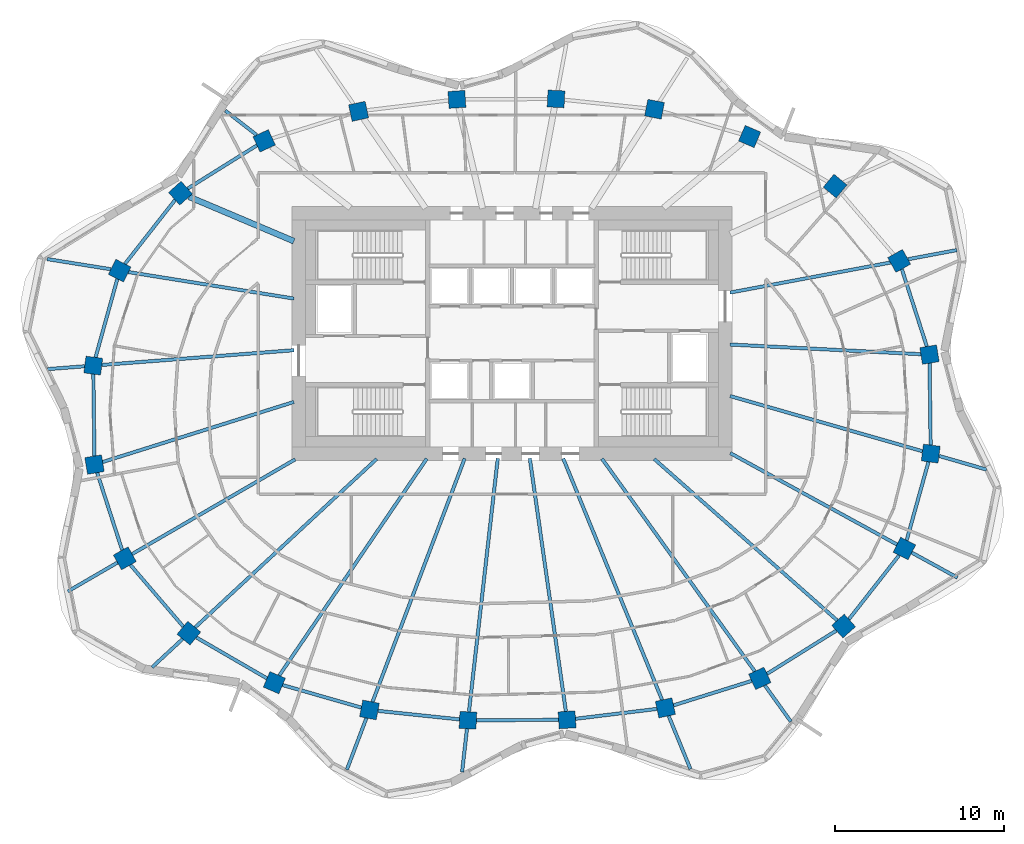
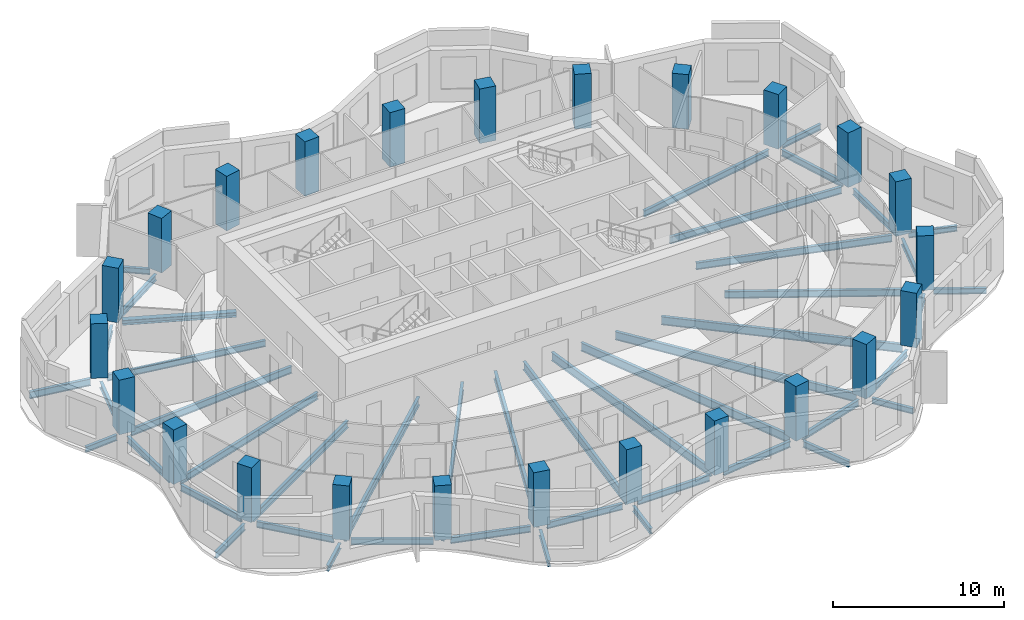
# One storey, part 1 of 11: 46 beams, 24 columns.
"""IFC4 building model written with IfcOpenShell, lengths in metres."""

from ifc_helpers import new_model, si_unit, direction, frame, origin, origin_2d, place, context, subcontext, project, spatial, rectangle, i_section, extrude, material, material_profile, profile_set, type_object, element, save


model = new_model("IFC4")

# Units and contexts
model_context = context("Model", 3, precision=1e-05, world=origin(), true_north=direction((0.0, 1.0)))
body_context = subcontext(model_context, "Body", "Model", "MODEL_VIEW")
ifc_project = project(units=[si_unit("LENGTHUNIT", "METRE"), si_unit("AREAUNIT", "SQUARE_METRE"), si_unit("VOLUMEUNIT", "CUBIC_METRE"), si_unit("PLANEANGLEUNIT", "RADIAN"), si_unit("MASSUNIT", "GRAM", prefix="KILO")], contexts=[model_context])

# Site, building, storey
site_placement = place(None, origin())
site = spatial("IfcSite", under=ifc_project, at=site_placement, CompositionType="ELEMENT")
building_placement = place(site_placement, origin())
building = spatial("IfcBuilding", under=site, at=building_placement, Name="Rubra Terraces Tower", CompositionType="ELEMENT")
storey_placement = place(building_placement, frame((0.0, 0.0, 181.800048828125)))
storey = spatial("IfcBuildingStorey", under=building, at=storey_placement, Name="L44", CompositionType="ELEMENT", Elevation=181.800048828125)

# Columns
ifc_material_1 = material(Name="Concrete C50", Category="concrete")
ifc_material_profile_1 = material_profile(ifc_material_1, rectangle(XDim=1.0, YDim=1.0, at=origin_2d()), Name="RC 1000x1000")
ifc_profile_set_1 = profile_set([ifc_material_profile_1], Name="Concrete C50")
column_type = type_object("IfcColumnType", Name="RING COLUMN RC 1000x1000 C50", PredefinedType="COLUMN", material=ifc_profile_set_1)
for number, where, z_axis, x_axis, name in (
    (1, (24.6689453125, 3.248046875, 0.0), (0.0, 0.0, 1.0), (-0.161559167715, 0.986863027642, 0.0), "column-L44-ring-01"),
    (2, (22.87890625, 8.787109375, 0.0), (0.0, 0.0, 1.0), (-0.48852601316, 0.872549330678, 0.0), "column-L44-ring-02"),
    (3, (19.092041015625, 13.208984375, 0.0), (0.0, 0.0, 1.0), (-0.76886986222, 0.63940529789, 0.0), "column-L44-ring-03"),
    (4, (14.0419921875, 16.135986328125, 0.0), (0.0, 0.0, 1.0), (-0.920167856842, 0.391524092789, 0.0), "column-L44-ring-04"),
    (5, (8.422119140625, 17.7490234375, 0.0), (0.0, 0.0, 1.0), (-0.981654668733, 0.19066754143, 0.0), "column-L44-ring-05"),
    (6, (2.60205078125, 18.35791015625, 0.0), (0.0, 0.0, 1.0), (-0.998764256028, 0.049698700995, 0.0), "column-L44-ring-06"),
    (7, (-3.25390625, 18.330078125, 0.0), (0.0, 0.0, 1.0), (-0.998031548759, -0.062713855578, 0.0), "column-L44-ring-07"),
    (8, (-9.06298828125, 17.625, 0.0), (0.0, 0.0, 1.0), (-0.977652674797, -0.210226657352, 0.0), "column-L44-ring-08"),
    (9, (-14.64306640625, 15.881103515625, 0.0), (0.0, 0.0, 1.0), (-0.908778580451, -0.417278673927, 0.0), "column-L44-ring-09"),
    (10, (-19.593017578125, 12.7900390625, 0.0), (0.0, 0.0, 1.0), (-0.744021317198, -0.668155879683, 0.0), "column-L44-ring-10"),
    (11, (-23.18505859375, 8.2099609375, 0.0), (0.0, 0.0, 1.0), (-0.451027931402, -0.892509834733, 0.0), "column-L44-ring-11"),
    (12, (-24.742919921875, 2.59912109375, 0.0), (0.0, 0.0, 1.0), (-0.128443684554, -0.991716804283, 0.0), "column-L44-ring-12"),
    (13, (-24.6689453125, -3.248046875, 0.0), (0.0, 0.0, 1.0), (0.161559167715, -0.986863027642, 0.0), "column-L44-ring-13"),
    (14, (-22.87890625, -8.787109375, 0.0), (0.0, 0.0, 1.0), (0.48852601316, -0.872549330678, 0.0), "column-L44-ring-14"),
    (15, (-19.092041015625, -13.208984375, 0.0), (0.0, 0.0, 1.0), (0.76886986222, -0.63940529789, 0.0), "column-L44-ring-15"),
    (16, (-14.0419921875, -16.135986328125, 0.0), (0.0, 0.0, 1.0), (0.920167856842, -0.391524092789, 0.0), "column-L44-ring-16"),
    (17, (-8.422119140625, -17.7490234375, 0.0), (0.0, 0.0, 1.0), (0.981654668733, -0.19066754143, 0.0), "column-L44-ring-17"),
    (18, (-2.60205078125, -18.35791015625, 0.0), (0.0, 0.0, 1.0), (0.998764256028, -0.049698700995, 0.0), "column-L44-ring-18"),
    (19, (3.25390625, -18.330078125, 0.0), (0.0, 0.0, 1.0), (0.998031548759, 0.062713855578, 0.0), "column-L44-ring-19"),
    (20, (9.06298828125, -17.625, 0.0), (0.0, 0.0, 1.0), (0.977652674797, 0.210226657352, 0.0), "column-L44-ring-20"),
    (21, (14.64306640625, -15.881103515625, 0.0), (0.0, 0.0, 1.0), (0.908778580451, 0.417278673927, 0.0), "column-L44-ring-21"),
    (22, (19.593017578125, -12.7900390625, 0.0), (0.0, 0.0, 1.0), (0.744021317198, 0.668155879683, 0.0), "column-L44-ring-22"),
    (23, (23.18505859375, -8.2099609375, 0.0), (0.0, 0.0, 1.0), (0.451027931402, 0.892509834733, 0.0), "column-L44-ring-23"),
    (24, (24.742919921875, -2.59912109375, 0.0), (0.0, 0.0, 1.0), (0.128443684554, 0.991716804283, 0.0), "column-L44-ring-24"),
):
    element("IfcColumn", number, at=place(storey_placement, frame(where, z_axis=z_axis, x_axis=x_axis)), inside=storey, type_object=column_type, Name=name, PredefinedType="COLUMN", context=body_context, shape_type="SweptSolid", body=[
        extrude(rectangle(XDim=1.0, YDim=1.0, at=origin_2d()), origin(), (0.0, 0.0, 1.0), 3.89990234375),
    ])

# Beams
ifc_material_2 = material(Name="Steel Q355B", Category="steel")
ifc_material_profile_2 = material_profile(ifc_material_2, i_section(OverallWidth=0.199951171875, OverallDepth=0.39990234375, WebThickness=0.008056640625, FlangeThickness=0.012939453125, at=origin_2d()), Name="HN 400x200x8x13")
ifc_profile_set_2 = profile_set([ifc_material_profile_2], Name="Steel Q355B")
beam_type_1 = type_object("IfcBeamType", Name="CANTILEVER BEAM HN 400x200x8x13", PredefinedType="BEAM", material=ifc_profile_set_2)
beam_1_placement = place(storey_placement, frame((23.39794921875, 8.884033203125, -0.400146484375), z_axis=(0.982856170911, 0.184373933356, 0.0), x_axis=(-0.184373933356, 0.982856170911, 0.0)))
element("IfcBeam", 25, at=beam_1_placement, inside=storey, type_object=beam_type_1, Name="beam-L44-cant-02", PredefinedType="BEAM", context=body_context, shape_type="SweptSolid", body=[
    extrude(i_section(OverallWidth=0.199951171875, OverallDepth=0.39990234375, WebThickness=0.008056640625, FlangeThickness=0.012939453125, at=origin_2d()), origin(), (0.0, 0.0, 1.0), 2.934326171875),
])
beam_2_placement = place(storey_placement, frame((-15.087890625, 16.22705078125, -0.400146484375), z_axis=(-0.789644202525, 0.613565019716, 0.0), x_axis=(-0.613565019716, -0.789644202525, 0.0)))
element("IfcBeam", 26, at=beam_2_placement, inside=storey, type_object=beam_type_1, Name="beam-L44-cant-09", PredefinedType="BEAM", context=body_context, shape_type="SweptSolid", body=[
    extrude(i_section(OverallWidth=0.199951171875, OverallDepth=0.39990234375, WebThickness=0.008056640625, FlangeThickness=0.012939453125, at=origin_2d()), origin(), (0.0, 0.0, 1.0), 2.340576171875),
])
beam_3_placement = place(storey_placement, frame((-25.251953125, 2.56005859375, -0.400146484375), z_axis=(-0.997072655985, -0.076459915552, 0.0), x_axis=(0.076459915552, -0.997072655985, 0.0)))
element("IfcBeam", 27, at=beam_3_placement, inside=storey, type_object=beam_type_1, Name="beam-L44-cant-12", PredefinedType="BEAM", context=body_context, shape_type="SweptSolid", body=[
    extrude(i_section(OverallWidth=0.199951171875, OverallDepth=0.39990234375, WebThickness=0.008056640625, FlangeThickness=0.012939453125, at=origin_2d()), origin(), (0.0, 0.0, 1.0), 2.20947265625),
])
beam_4_placement = place(storey_placement, frame((-19.4619140625, -13.552001953125, -0.400146484375), z_axis=(-0.733131141313, -0.6800872956, 0.0), x_axis=(0.6800872956, -0.733131141313, 0.0)))
element("IfcBeam", 28, at=beam_4_placement, inside=storey, type_object=beam_type_1, Name="beam-L44-cant-15", PredefinedType="BEAM", context=body_context, shape_type="SweptSolid", body=[
    extrude(i_section(OverallWidth=0.199951171875, OverallDepth=0.39990234375, WebThickness=0.008056640625, FlangeThickness=0.012939453125, at=origin_2d()), origin(), (0.0, 0.0, 1.0), 2.4716796875),
])
beam_5_placement = place(storey_placement, frame((-2.658935546875, -18.85595703125, -0.400146484375), z_axis=(-0.11286294962, -0.993610564861, 0.0), x_axis=(0.993610564861, -0.11286294962, 0.0)))
element("IfcBeam", 29, at=beam_5_placement, inside=storey, type_object=beam_type_1, Name="beam-L44-cant-18", PredefinedType="BEAM", context=body_context, shape_type="SweptSolid", body=[
    extrude(i_section(OverallWidth=0.199951171875, OverallDepth=0.39990234375, WebThickness=0.008056640625, FlangeThickness=0.012939453125, at=origin_2d()), origin(), (0.0, 0.0, 1.0), 2.578369140625),
])
beam_6_placement = place(storey_placement, frame((14.93994140625, -16.294921875, -0.400146484375), z_axis=(0.583708638616, -0.811963192026, 0.0), x_axis=(0.811963192026, 0.583708638616, 0.0)))
element("IfcBeam", 30, at=beam_6_placement, inside=storey, type_object=beam_type_1, Name="beam-L44-cant-21", PredefinedType="BEAM", context=body_context, shape_type="SweptSolid", body=[
    extrude(i_section(OverallWidth=0.199951171875, OverallDepth=0.39990234375, WebThickness=0.008056640625, FlangeThickness=0.012939453125, at=origin_2d()), origin(), (0.0, 0.0, 1.0), 2.63330078125),
])
beam_7_placement = place(storey_placement, frame((23.6240234375, -8.449951171875, -0.400146484375), z_axis=(0.876753057926, -0.480940823197, 0.0), x_axis=(0.480940823197, 0.876753057926, 0.0)))
element("IfcBeam", 31, at=beam_7_placement, inside=storey, type_object=beam_type_1, Name="beam-L44-cant-23", PredefinedType="BEAM", context=body_context, shape_type="SweptSolid", body=[
    extrude(i_section(OverallWidth=0.199951171875, OverallDepth=0.39990234375, WebThickness=0.008056640625, FlangeThickness=0.012939453125, at=origin_2d()), origin(), (0.0, 0.0, 1.0), 3.0771484375),
])
beam_8_placement = place(storey_placement, frame((25.22900390625, -2.738037109375, -0.400146484375), z_axis=(0.961186154609, -0.275900663625, 0.0), x_axis=(0.275900663625, 0.961186154609, 0.0)))
element("IfcBeam", 32, at=beam_8_placement, inside=storey, type_object=beam_type_1, Name="beam-L44-cant-24", PredefinedType="BEAM", context=body_context, shape_type="SweptSolid", body=[
    extrude(i_section(OverallWidth=0.199951171875, OverallDepth=0.39990234375, WebThickness=0.008056640625, FlangeThickness=0.012939453125, at=origin_2d()), origin(), (0.0, 0.0, 1.0), 2.924560546875),
])
ifc_material_profile_3 = material_profile(ifc_material_2, i_section(OverallWidth=0.198974609375, OverallDepth=0.446044921875, WebThickness=0.008056640625, FlangeThickness=0.011962890625, at=origin_2d()), Name="HN 446x199x8x12")
ifc_profile_set_3 = profile_set([ifc_material_profile_3], Name="Steel Q355B")
beam_type_2 = type_object("IfcBeamType", Name="CANTILEVER BEAM HN 446x199x8x12", PredefinedType="BEAM", material=ifc_profile_set_3)
beam_9_placement = place(storey_placement, frame((-23.31103515625, -9.0380859375, -0.423095703125), z_axis=(-0.864731547831, -0.50223435783, 0.0), x_axis=(0.50223435783, -0.864731547831, 0.0)))
element("IfcBeam", 33, at=beam_9_placement, inside=storey, type_object=beam_type_2, Name="beam-L44-cant-14", PredefinedType="BEAM", context=body_context, shape_type="SweptSolid", body=[
    extrude(i_section(OverallWidth=0.198974609375, OverallDepth=0.446044921875, WebThickness=0.008056640625, FlangeThickness=0.011962890625, at=origin_2d()), origin(), (0.0, 0.0, 1.0), 3.396484375),
])
beam_10_placement = place(storey_placement, frame((-8.60205078125, -18.222900390625, -0.423095703125), z_axis=(-0.353886787497, -0.935288266597, 0.0), x_axis=(0.935288266597, -0.353886787497, 0.0)))
element("IfcBeam", 34, at=beam_10_placement, inside=storey, type_object=beam_type_2, Name="beam-L44-cant-17", PredefinedType="BEAM", context=body_context, shape_type="SweptSolid", body=[
    extrude(i_section(OverallWidth=0.198974609375, OverallDepth=0.446044921875, WebThickness=0.008056640625, FlangeThickness=0.011962890625, at=origin_2d()), origin(), (0.0, 0.0, 1.0), 3.260986328125),
])
beam_11_placement = place(storey_placement, frame((9.256103515625, -18.094970703125, -0.423095703125), z_axis=(0.378957804719, -0.925413951831, 0.0), x_axis=(0.925413951831, 0.378957804719, 0.0)))
element("IfcBeam", 35, at=beam_11_placement, inside=storey, type_object=beam_type_2, Name="beam-L44-cant-20", PredefinedType="BEAM", context=body_context, shape_type="SweptSolid", body=[
    extrude(i_section(OverallWidth=0.198974609375, OverallDepth=0.446044921875, WebThickness=0.008056640625, FlangeThickness=0.011962890625, at=origin_2d()), origin(), (0.0, 0.0, 1.0), 3.393310546875),
])
ifc_material_profile_4 = material_profile(ifc_material_2, i_section(OverallWidth=0.198974609375, OverallDepth=0.49609375, WebThickness=0.009033203125, FlangeThickness=0.013916015625, at=origin_2d()), Name="HN 496x199x9x14")
ifc_profile_set_4 = profile_set([ifc_material_profile_4], Name="Steel Q355B")
beam_type_3 = type_object("IfcBeamType", Name="CANTILEVER BEAM HN 496x199x9x14", PredefinedType="BEAM", material=ifc_profile_set_4)
beam_12_placement = place(storey_placement, frame((-23.702880859375, 8.29296875, -0.447998046875), z_axis=(-0.98745581053, 0.157895605548, 0.0), x_axis=(-0.157895605548, -0.98745581053, 0.0)))
element("IfcBeam", 36, at=beam_12_placement, inside=storey, type_object=beam_type_3, Name="beam-L44-cant-11", PredefinedType="BEAM", context=body_context, shape_type="SweptSolid", body=[
    extrude(i_section(OverallWidth=0.198974609375, OverallDepth=0.49609375, WebThickness=0.009033203125, FlangeThickness=0.013916015625, at=origin_2d()), origin(), (0.0, 0.0, 1.0), 3.81298828125),
])
ifc_material_profile_5 = material_profile(ifc_material_2, i_section(OverallWidth=0.198974609375, OverallDepth=0.446044921875, WebThickness=0.008056640625, FlangeThickness=0.011962890625, at=origin_2d()), Name="HN 446x199x8x12")
ifc_profile_set_5 = profile_set([ifc_material_profile_5], Name="Steel Q355B")
beam_type_4 = type_object("IfcBeamType", Name="FLOOR BEAM HN 446x199x8x12", PredefinedType="BEAM", material=ifc_profile_set_5)
beam_13_placement = place(storey_placement, frame((22.360107421875, 8.68994140625, -0.423095703125), z_axis=(-0.982895681695, -0.18416318553, 0.0), x_axis=(0.18416318553, -0.982895681695, 0.0)))
element("IfcBeam", 37, at=beam_13_placement, inside=storey, type_object=beam_type_4, Name="beam-L44-floor-02", PredefinedType="BEAM", context=body_context, shape_type="SweptSolid", body=[
    extrude(i_section(OverallWidth=0.198974609375, OverallDepth=0.446044921875, WebThickness=0.008056640625, FlangeThickness=0.011962890625, at=origin_2d()), origin(), (0.0, 0.0, 1.0), 9.64306640625),
])
beam_14_placement = place(storey_placement, frame((-22.6669921875, 8.126953125, -0.423095703125), z_axis=(0.987435404133, -0.158023171289, 0.0), x_axis=(0.158023171289, 0.987435404133, 0.0)))
element("IfcBeam", 38, at=beam_14_placement, inside=storey, type_object=beam_type_4, Name="beam-L44-floor-11", PredefinedType="BEAM", context=body_context, shape_type="SweptSolid", body=[
    extrude(i_section(OverallWidth=0.198974609375, OverallDepth=0.446044921875, WebThickness=0.008056640625, FlangeThickness=0.011962890625, at=origin_2d()), origin(), (0.0, 0.0, 1.0), 9.909423828125),
])
ifc_material_profile_6 = material_profile(ifc_material_2, i_section(OverallWidth=0.198974609375, OverallDepth=0.49609375, WebThickness=0.009033203125, FlangeThickness=0.013916015625, at=origin_2d()), Name="HN 496x199x9x14")
ifc_profile_set_6 = profile_set([ifc_material_profile_6], Name="Steel Q355B")
beam_type_5 = type_object("IfcBeamType", Name="FLOOR BEAM HN 496x199x9x14", PredefinedType="BEAM", material=ifc_profile_set_6)
beam_15_placement = place(storey_placement, frame((24.157958984375, 3.27392578125, -0.447998046875), z_axis=(-0.998716228561, 0.050654662269, 0.0), x_axis=(-0.050654662269, -0.998716228561, 0.0)))
element("IfcBeam", 39, at=beam_15_placement, inside=storey, type_object=beam_type_5, Name="beam-L44-floor-01", PredefinedType="BEAM", context=body_context, shape_type="SweptSolid", body=[
    extrude(i_section(OverallWidth=0.198974609375, OverallDepth=0.49609375, WebThickness=0.009033203125, FlangeThickness=0.013916015625, at=origin_2d()), origin(), (0.0, 0.0, 1.0), 11.29248046875),
])
beam_16_placement = place(storey_placement, frame((-24.23388671875, 2.637939453125, -0.447998046875), z_axis=(0.997063306908, 0.076581734234, 0.0), x_axis=(-0.076581734234, 0.997063306908, 0.0)))
element("IfcBeam", 40, at=beam_16_placement, inside=storey, type_object=beam_type_5, Name="beam-L44-floor-12", PredefinedType="BEAM", context=body_context, shape_type="SweptSolid", body=[
    extrude(i_section(OverallWidth=0.198974609375, OverallDepth=0.49609375, WebThickness=0.009033203125, FlangeThickness=0.013916015625, at=origin_2d()), origin(), (0.0, 0.0, 1.0), 11.387451171875),
])
beam_17_placement = place(storey_placement, frame((-24.18701171875, -3.096923828125, -0.447998046875), z_axis=(0.954040699023, 0.299677067204, 0.0), x_axis=(-0.299677067204, 0.954040699023, 0.0)))
element("IfcBeam", 41, at=beam_17_placement, inside=storey, type_object=beam_type_5, Name="beam-L44-floor-13", PredefinedType="BEAM", context=body_context, shape_type="SweptSolid", body=[
    extrude(i_section(OverallWidth=0.198974609375, OverallDepth=0.49609375, WebThickness=0.009033203125, FlangeThickness=0.013916015625, at=origin_2d()), origin(), (0.0, 0.0, 1.0), 11.845458984375),
])
beam_18_placement = place(storey_placement, frame((-22.447021484375, -8.535888671875, -0.447998046875), z_axis=(0.864755491844, 0.502193129508, 0.0), x_axis=(-0.502193129508, 0.864755491844, 0.0)))
element("IfcBeam", 42, at=beam_18_placement, inside=storey, type_object=beam_type_5, Name="beam-L44-floor-14", PredefinedType="BEAM", context=body_context, shape_type="SweptSolid", body=[
    extrude(i_section(OverallWidth=0.198974609375, OverallDepth=0.49609375, WebThickness=0.009033203125, FlangeThickness=0.013916015625, at=origin_2d()), origin(), (0.0, 0.0, 1.0), 11.14306640625),
])
beam_19_placement = place(storey_placement, frame((22.74609375, -7.969970703125, -0.447998046875), z_axis=(-0.876862055903, 0.480742066932, 0.0), x_axis=(-0.480742066932, -0.876862055903, 0.0)))
element("IfcBeam", 43, at=beam_19_placement, inside=storey, type_object=beam_type_5, Name="beam-L44-floor-23", PredefinedType="BEAM", context=body_context, shape_type="SweptSolid", body=[
    extrude(i_section(OverallWidth=0.198974609375, OverallDepth=0.49609375, WebThickness=0.009033203125, FlangeThickness=0.013916015625, at=origin_2d()), origin(), (0.0, 0.0, 1.0), 11.234375),
])
beam_20_placement = place(storey_placement, frame((24.257080078125, -2.4599609375, -0.447998046875), z_axis=(-0.961215754667, 0.275797521707, 0.0), x_axis=(-0.275797521707, -0.961215754667, 0.0)))
element("IfcBeam", 44, at=beam_20_placement, inside=storey, type_object=beam_type_5, Name="beam-L44-floor-24", PredefinedType="BEAM", context=body_context, shape_type="SweptSolid", body=[
    extrude(i_section(OverallWidth=0.198974609375, OverallDepth=0.49609375, WebThickness=0.009033203125, FlangeThickness=0.013916015625, at=origin_2d()), origin(), (0.0, 0.0, 1.0), 11.830810546875),
])
ifc_material_profile_7 = material_profile(ifc_material_2, i_section(OverallWidth=0.198974609375, OverallDepth=0.595947265625, WebThickness=0.010009765625, FlangeThickness=0.014892578125, at=origin_2d()), Name="HN 596x199x10x15")
ifc_profile_set_7 = profile_set([ifc_material_profile_7], Name="Steel Q355B")
beam_type_6 = type_object("IfcBeamType", Name="FLOOR BEAM HN 596x199x10x15", PredefinedType="BEAM", material=ifc_profile_set_7)
beam_21_placement = place(storey_placement, frame((-18.721923828125, -12.865966796875, -0.498046875), z_axis=(0.733130458484, 0.680088031687, 0.0), x_axis=(-0.680088031687, 0.733130458484, 0.0)))
element("IfcBeam", 45, at=beam_21_placement, inside=storey, type_object=beam_type_6, Name="beam-L44-floor-15", PredefinedType="BEAM", context=body_context, shape_type="SweptSolid", body=[
    extrude(i_section(OverallWidth=0.198974609375, OverallDepth=0.595947265625, WebThickness=0.010009765625, FlangeThickness=0.014892578125, at=origin_2d()), origin(), (0.0, 0.0, 1.0), 14.62744140625),
])
beam_22_placement = place(storey_placement, frame((-13.7548828125, -15.715087890625, -0.498046875), z_axis=(0.562545242124, 0.826766503049, 0.0), x_axis=(-0.826766503049, 0.562545242124, 0.0)))
element("IfcBeam", 46, at=beam_22_placement, inside=storey, type_object=beam_type_6, Name="beam-L44-floor-16", PredefinedType="BEAM", context=body_context, shape_type="SweptSolid", body=[
    extrude(i_section(OverallWidth=0.198974609375, OverallDepth=0.595947265625, WebThickness=0.010009765625, FlangeThickness=0.014892578125, at=origin_2d()), origin(), (0.0, 0.0, 1.0), 15.499267578125),
])
beam_23_placement = place(storey_placement, frame((-8.241943359375, -17.27490234375, -0.498046875), z_axis=(0.353955134415, 0.93526240319, 0.0), x_axis=(-0.93526240319, 0.353955134415, 0.0)))
element("IfcBeam", 47, at=beam_23_placement, inside=storey, type_object=beam_type_6, Name="beam-L44-floor-17", PredefinedType="BEAM", context=body_context, shape_type="SweptSolid", body=[
    extrude(i_section(OverallWidth=0.198974609375, OverallDepth=0.595947265625, WebThickness=0.010009765625, FlangeThickness=0.014892578125, at=origin_2d()), origin(), (0.0, 0.0, 1.0), 15.3828125),
])
beam_24_placement = place(storey_placement, frame((-2.544921875, -17.860107421875, -0.498046875), z_axis=(0.113084825914, 0.993585337124, 0.0), x_axis=(-0.993585337124, 0.113084825914, 0.0)))
element("IfcBeam", 48, at=beam_24_placement, inside=storey, type_object=beam_type_6, Name="beam-L44-floor-18", PredefinedType="BEAM", context=body_context, shape_type="SweptSolid", body=[
    extrude(i_section(OverallWidth=0.198974609375, OverallDepth=0.595947265625, WebThickness=0.010009765625, FlangeThickness=0.014892578125, at=origin_2d()), origin(), (0.0, 0.0, 1.0), 15.07568359375),
])
beam_25_placement = place(storey_placement, frame((3.18310546875, -17.8330078125, -0.498046875), z_axis=(-0.141104514479, 0.989994705033, 0.0), x_axis=(-0.989994705033, -0.141104514479, 0.0)))
element("IfcBeam", 49, at=beam_25_placement, inside=storey, type_object=beam_type_6, Name="beam-L44-floor-19", PredefinedType="BEAM", context=body_context, shape_type="SweptSolid", body=[
    extrude(i_section(OverallWidth=0.198974609375, OverallDepth=0.595947265625, WebThickness=0.010009765625, FlangeThickness=0.014892578125, at=origin_2d()), origin(), (0.0, 0.0, 1.0), 15.10302734375),
])
beam_26_placement = place(storey_placement, frame((8.8701171875, -17.155029296875, -0.498046875), z_axis=(-0.379015131933, 0.925390474214, 0.0), x_axis=(-0.925390474214, -0.379015131933, 0.0)))
element("IfcBeam", 50, at=beam_26_placement, inside=storey, type_object=beam_type_6, Name="beam-L44-floor-20", PredefinedType="BEAM", context=body_context, shape_type="SweptSolid", body=[
    extrude(i_section(OverallWidth=0.198974609375, OverallDepth=0.595947265625, WebThickness=0.010009765625, FlangeThickness=0.014892578125, at=origin_2d()), origin(), (0.0, 0.0, 1.0), 15.416259765625),
])
beam_27_placement = place(storey_placement, frame((14.345947265625, -15.467041015625, -0.498046875), z_axis=(-0.583528740197, 0.812092488183, 0.0), x_axis=(-0.812092488183, -0.583528740197, 0.0)))
element("IfcBeam", 51, at=beam_27_placement, inside=storey, type_object=beam_type_6, Name="beam-L44-floor-21", PredefinedType="BEAM", context=body_context, shape_type="SweptSolid", body=[
    extrude(i_section(OverallWidth=0.198974609375, OverallDepth=0.595947265625, WebThickness=0.010009765625, FlangeThickness=0.014892578125, at=origin_2d()), origin(), (0.0, 0.0, 1.0), 15.47119140625),
])
beam_28_placement = place(storey_placement, frame((19.216064453125, -12.45703125, -0.498046875), z_axis=(-0.749823025288, 0.661638444128, 0.0), x_axis=(-0.661638444128, -0.749823025288, 0.0)))
element("IfcBeam", 52, at=beam_28_placement, inside=storey, type_object=beam_type_6, Name="beam-L44-floor-22", PredefinedType="BEAM", context=body_context, shape_type="SweptSolid", body=[
    extrude(i_section(OverallWidth=0.198974609375, OverallDepth=0.595947265625, WebThickness=0.010009765625, FlangeThickness=0.014892578125, at=origin_2d()), origin(), (0.0, 0.0, 1.0), 14.412841796875),
])
ifc_material_profile_8 = material_profile(ifc_material_2, i_section(OverallWidth=0.35009765625, OverallDepth=0.35009765625, WebThickness=0.011962890625, FlangeThickness=0.01904296875, at=origin_2d()), Name="HW 350x350x12x19")
ifc_profile_set_8 = profile_set([ifc_material_profile_8], Name="Steel Q355B")
beam_type_7 = type_object("IfcBeamType", Name="FLOOR BEAM HW 350x350x12x19", PredefinedType="BEAM", material=ifc_profile_set_8)
beam_29_placement = place(storey_placement, frame((-19.083984375, 12.574951171875, -0.375), z_axis=(0.92097476483, -0.38962223056, 0.0), x_axis=(0.38962223056, 0.92097476483, 0.0)))
element("IfcBeam", 53, at=beam_29_placement, inside=storey, type_object=beam_type_7, Name="beam-L44-floor-10", PredefinedType="BEAM", context=body_context, shape_type="SweptSolid", body=[
    extrude(i_section(OverallWidth=0.35009765625, OverallDepth=0.35009765625, WebThickness=0.011962890625, FlangeThickness=0.01904296875, at=origin_2d()), origin(), (0.0, 0.0, 1.0), 6.7265625),
])
ifc_material_profile_9 = material_profile(ifc_material_2, i_section(OverallWidth=0.198974609375, OverallDepth=0.446044921875, WebThickness=0.008056640625, FlangeThickness=0.011962890625, at=origin_2d()), Name="HN 446x199x8x12")
ifc_profile_set_9 = profile_set([ifc_material_profile_9], Name="Steel Q355B")
beam_type_8 = type_object("IfcBeamType", Name="SPANDREL BEAM HN 446x199x8x12", PredefinedType="SPANDREL", material=ifc_profile_set_9)
beam_30_placement = place(storey_placement, frame((24.512939453125, 3.72900390625, -0.423095703125), z_axis=(-0.307359002872, 0.951593633519, 0.0), x_axis=(-0.951593633519, -0.307359002872, 0.0)))
element("IfcBeam", 54, at=beam_30_placement, inside=storey, type_object=beam_type_8, Name="beam-L44-spandrel-01", PredefinedType="SPANDREL", context=body_context, shape_type="SweptSolid", body=[
    extrude(i_section(OverallWidth=0.198974609375, OverallDepth=0.446044921875, WebThickness=0.008056640625, FlangeThickness=0.011962890625, at=origin_2d()), origin(), (0.0, 0.0, 1.0), 4.8056640625),
])
beam_31_placement = place(storey_placement, frame((-15.071044921875, 15.614013671875, -0.423095703125), z_axis=(-0.848183088492, -0.529703170083, 0.0), x_axis=(0.529703170083, -0.848183088492, 0.0)))
element("IfcBeam", 55, at=beam_31_placement, inside=storey, type_object=beam_type_8, Name="beam-L44-spandrel-09", PredefinedType="SPANDREL", context=body_context, shape_type="SweptSolid", body=[
    extrude(i_section(OverallWidth=0.198974609375, OverallDepth=0.446044921875, WebThickness=0.008056640625, FlangeThickness=0.011962890625, at=origin_2d()), origin(), (0.0, 0.0, 1.0), 4.8232421875),
])
beam_32_placement = place(storey_placement, frame((-19.906005859375, 12.39111328125, -0.423095703125), z_axis=(-0.617060338015, -0.786915840004, 0.0), x_axis=(0.786915840004, -0.617060338015, 0.0)))
element("IfcBeam", 56, at=beam_32_placement, inside=storey, type_object=beam_type_8, Name="beam-L44-spandrel-10", PredefinedType="SPANDREL", context=body_context, shape_type="SweptSolid", body=[
    extrude(i_section(OverallWidth=0.198974609375, OverallDepth=0.446044921875, WebThickness=0.008056640625, FlangeThickness=0.011962890625, at=origin_2d()), origin(), (0.0, 0.0, 1.0), 4.8037109375),
])
beam_33_placement = place(storey_placement, frame((-23.321044921875, 7.718994140625, -0.423095703125), z_axis=(-0.267625533012, -0.963523001324, 0.0), x_axis=(0.963523001324, -0.267625533012, 0.0)))
element("IfcBeam", 57, at=beam_33_placement, inside=storey, type_object=beam_type_8, Name="beam-L44-spandrel-11", PredefinedType="SPANDREL", context=body_context, shape_type="SweptSolid", body=[
    extrude(i_section(OverallWidth=0.198974609375, OverallDepth=0.446044921875, WebThickness=0.008056640625, FlangeThickness=0.011962890625, at=origin_2d()), origin(), (0.0, 0.0, 1.0), 4.808349609375),
])
beam_34_placement = place(storey_placement, frame((-24.737060546875, 2.093994140625, -0.423095703125), z_axis=(0.012822047643, -0.999917794168, 0.0), x_axis=(0.999917794168, 0.012822047643, 0.0)))
element("IfcBeam", 58, at=beam_34_placement, inside=storey, type_object=beam_type_8, Name="beam-L44-spandrel-12", PredefinedType="SPANDREL", context=body_context, shape_type="SweptSolid", body=[
    extrude(i_section(OverallWidth=0.198974609375, OverallDepth=0.446044921875, WebThickness=0.008056640625, FlangeThickness=0.011962890625, at=origin_2d()), origin(), (0.0, 0.0, 1.0), 4.83642578125),
])
beam_35_placement = place(storey_placement, frame((-24.512939453125, -3.72900390625, -0.423095703125), z_axis=(0.307359002872, -0.951593633519, 0.0), x_axis=(0.951593633519, 0.307359002872, 0.0)))
element("IfcBeam", 59, at=beam_35_placement, inside=storey, type_object=beam_type_8, Name="beam-L44-spandrel-13", PredefinedType="SPANDREL", context=body_context, shape_type="SweptSolid", body=[
    extrude(i_section(OverallWidth=0.198974609375, OverallDepth=0.446044921875, WebThickness=0.008056640625, FlangeThickness=0.011962890625, at=origin_2d()), origin(), (0.0, 0.0, 1.0), 4.8056640625),
])
beam_36_placement = place(storey_placement, frame((-22.547119140625, -9.174072265625, -0.423095703125), z_axis=(0.650372836218, -0.759615148552, 0.0), x_axis=(0.759615148552, 0.650372836218, 0.0)))
element("IfcBeam", 60, at=beam_36_placement, inside=storey, type_object=beam_type_8, Name="beam-L44-spandrel-14", PredefinedType="SPANDREL", context=body_context, shape_type="SweptSolid", body=[
    extrude(i_section(OverallWidth=0.198974609375, OverallDepth=0.446044921875, WebThickness=0.008056640625, FlangeThickness=0.011962890625, at=origin_2d()), origin(), (0.0, 0.0, 1.0), 4.804931640625),
])
beam_37_placement = place(storey_placement, frame((-18.653076171875, -13.462890625, -0.423095703125), z_axis=(0.865153680787, -0.501506838059, 0.0), x_axis=(0.501506838059, 0.865153680787, 0.0)))
element("IfcBeam", 61, at=beam_37_placement, inside=storey, type_object=beam_type_8, Name="beam-L44-spandrel-15", PredefinedType="SPANDREL", context=body_context, shape_type="SweptSolid", body=[
    extrude(i_section(OverallWidth=0.198974609375, OverallDepth=0.446044921875, WebThickness=0.008056640625, FlangeThickness=0.011962890625, at=origin_2d()), origin(), (0.0, 0.0, 1.0), 4.82568359375),
])
beam_38_placement = place(storey_placement, frame((-13.55810546875, -16.27490234375, -0.423095703125), z_axis=(0.961171164323, -0.275952881621, 0.0), x_axis=(0.275952881621, 0.961171164323, 0.0)))
element("IfcBeam", 62, at=beam_38_placement, inside=storey, type_object=beam_type_8, Name="beam-L44-spandrel-16", PredefinedType="SPANDREL", context=body_context, shape_type="SweptSolid", body=[
    extrude(i_section(OverallWidth=0.198974609375, OverallDepth=0.446044921875, WebThickness=0.008056640625, FlangeThickness=0.011962890625, at=origin_2d()), origin(), (0.0, 0.0, 1.0), 4.842041015625),
])
beam_39_placement = place(storey_placement, frame((-7.923095703125, -17.801025390625, -0.423095703125), z_axis=(0.994565426955, -0.104113454971, 0.0), x_axis=(0.104113454971, 0.994565426955, 0.0)))
element("IfcBeam", 63, at=beam_39_placement, inside=storey, type_object=beam_type_8, Name="beam-L44-spandrel-17", PredefinedType="SPANDREL", context=body_context, shape_type="SweptSolid", body=[
    extrude(i_section(OverallWidth=0.198974609375, OverallDepth=0.446044921875, WebThickness=0.008056640625, FlangeThickness=0.011962890625, at=origin_2d()), origin(), (0.0, 0.0, 1.0), 4.849365234375),
])
beam_40_placement = place(storey_placement, frame((-2.10107421875, -18.35595703125, -0.423095703125), z_axis=(0.999987852299, 0.004929021704, 0.0), x_axis=(-0.004929021704, 0.999987852299, 0.0)))
element("IfcBeam", 64, at=beam_40_placement, inside=storey, type_object=beam_type_8, Name="beam-L44-spandrel-18", PredefinedType="SPANDREL", context=body_context, shape_type="SweptSolid", body=[
    extrude(i_section(OverallWidth=0.198974609375, OverallDepth=0.446044921875, WebThickness=0.008056640625, FlangeThickness=0.011962890625, at=origin_2d()), origin(), (0.0, 0.0, 1.0), 4.85400390625),
])
beam_41_placement = place(storey_placement, frame((3.7509765625, -18.27001953125, -0.423095703125), z_axis=(0.992698018573, 0.120626049929, 0.0), x_axis=(-0.120626049929, 0.992698018573, 0.0)))
element("IfcBeam", 65, at=beam_41_placement, inside=storey, type_object=beam_type_8, Name="beam-L44-spandrel-19", PredefinedType="SPANDREL", context=body_context, shape_type="SweptSolid", body=[
    extrude(i_section(OverallWidth=0.198974609375, OverallDepth=0.446044921875, WebThickness=0.008056640625, FlangeThickness=0.011962890625, at=origin_2d()), origin(), (0.0, 0.0, 1.0), 4.849365234375),
])
beam_42_placement = place(storey_placement, frame((9.5419921875, -17.47509765625, -0.423095703125), z_axis=(0.954462027342, 0.298332429282, 0.0), x_axis=(-0.298332429282, 0.954462027342, 0.0)))
element("IfcBeam", 66, at=beam_42_placement, inside=storey, type_object=beam_type_8, Name="beam-L44-spandrel-20", PredefinedType="SPANDREL", context=body_context, shape_type="SweptSolid", body=[
    extrude(i_section(OverallWidth=0.198974609375, OverallDepth=0.446044921875, WebThickness=0.008056640625, FlangeThickness=0.011962890625, at=origin_2d()), origin(), (0.0, 0.0, 1.0), 4.840576171875),
])
beam_43_placement = place(storey_placement, frame((15.071044921875, -15.614013671875, -0.423095703125), z_axis=(0.848183088492, 0.529703170083, 0.0), x_axis=(-0.529703170083, 0.848183088492, 0.0)))
element("IfcBeam", 67, at=beam_43_placement, inside=storey, type_object=beam_type_8, Name="beam-L44-spandrel-21", PredefinedType="SPANDREL", context=body_context, shape_type="SweptSolid", body=[
    extrude(i_section(OverallWidth=0.198974609375, OverallDepth=0.446044921875, WebThickness=0.008056640625, FlangeThickness=0.011962890625, at=origin_2d()), origin(), (0.0, 0.0, 1.0), 4.8232421875),
])
beam_44_placement = place(storey_placement, frame((19.906005859375, -12.39111328125, -0.423095703125), z_axis=(0.617060338015, 0.786915840004, 0.0), x_axis=(-0.786915840004, 0.617060338015, 0.0)))
element("IfcBeam", 68, at=beam_44_placement, inside=storey, type_object=beam_type_8, Name="beam-L44-spandrel-22", PredefinedType="SPANDREL", context=body_context, shape_type="SweptSolid", body=[
    extrude(i_section(OverallWidth=0.198974609375, OverallDepth=0.446044921875, WebThickness=0.008056640625, FlangeThickness=0.011962890625, at=origin_2d()), origin(), (0.0, 0.0, 1.0), 4.8037109375),
])
beam_45_placement = place(storey_placement, frame((23.321044921875, -7.718994140625, -0.423095703125), z_axis=(0.267625533012, 0.963523001324, 0.0), x_axis=(-0.963523001324, 0.267625533012, 0.0)))
element("IfcBeam", 69, at=beam_45_placement, inside=storey, type_object=beam_type_8, Name="beam-L44-spandrel-23", PredefinedType="SPANDREL", context=body_context, shape_type="SweptSolid", body=[
    extrude(i_section(OverallWidth=0.198974609375, OverallDepth=0.446044921875, WebThickness=0.008056640625, FlangeThickness=0.011962890625, at=origin_2d()), origin(), (0.0, 0.0, 1.0), 4.808349609375),
])
beam_46_placement = place(storey_placement, frame((24.737060546875, -2.093994140625, -0.423095703125), z_axis=(-0.012822047643, 0.999917794168, 0.0), x_axis=(-0.999917794168, -0.012822047643, 0.0)))
element("IfcBeam", 70, at=beam_46_placement, inside=storey, type_object=beam_type_8, Name="beam-L44-spandrel-24", PredefinedType="SPANDREL", context=body_context, shape_type="SweptSolid", body=[
    extrude(i_section(OverallWidth=0.198974609375, OverallDepth=0.446044921875, WebThickness=0.008056640625, FlangeThickness=0.011962890625, at=origin_2d()), origin(), (0.0, 0.0, 1.0), 4.83642578125),
])

save(model, "model.ifc")
